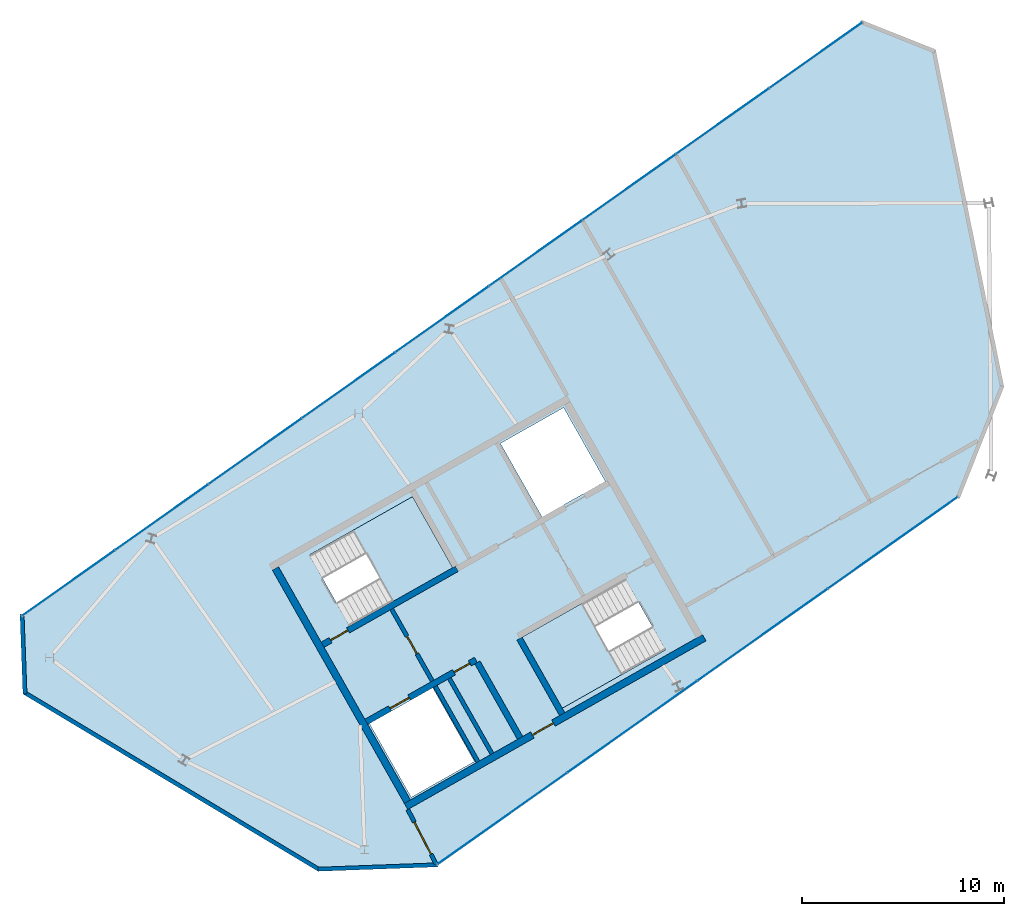
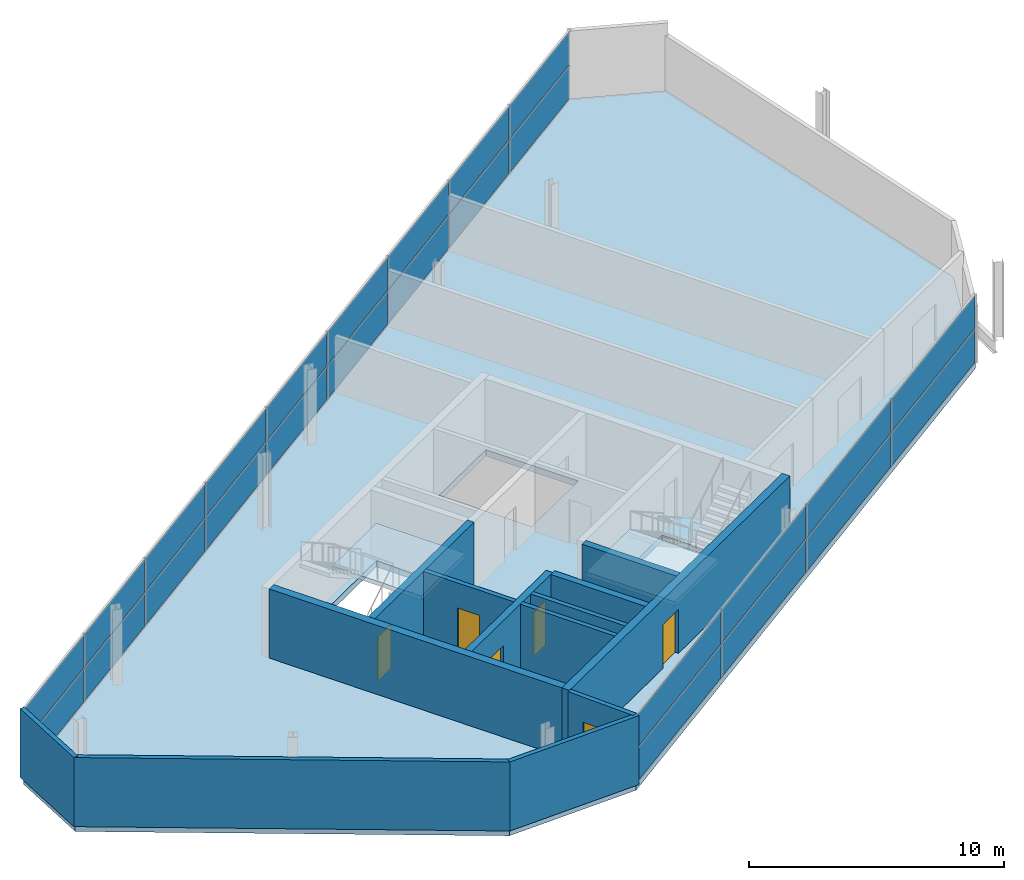
# One storey, part 8 of 10: 26 plates, 13 walls, 6 doors, 3 slabs, 6 openings, 4 elements without a shape of their own.
"""IFC4 building model written with IfcOpenShell, lengths in metres."""

from ifc_helpers import new_model, si_unit, direction, frame, frame_2d, origin, origin_2d, place, context, subcontext, project, spatial, polyline, rectangle, outline, extrude, material, layer, layer_set, type_object, element, fill, aggregate, save


model = new_model("IFC4")

# Units and contexts
model_context = context("Model", 3, precision=1e-05, world=origin(), true_north=direction((0.0, 1.0)))
body_context = subcontext(model_context, "Body", "Model", "MODEL_VIEW")
ifc_project = project(units=[si_unit("LENGTHUNIT", "METRE"), si_unit("AREAUNIT", "SQUARE_METRE"), si_unit("VOLUMEUNIT", "CUBIC_METRE"), si_unit("PLANEANGLEUNIT", "RADIAN"), si_unit("MASSUNIT", "GRAM", prefix="KILO")], contexts=[model_context])

# Site, building, storey
site_placement = place(None, origin())
site = spatial("IfcSite", under=ifc_project, at=site_placement, CompositionType="ELEMENT")
building_placement = place(site_placement, origin())
building = spatial("IfcBuilding", under=site, at=building_placement, Name="Binnacle Exchange Tower", CompositionType="ELEMENT")
storey_placement = place(building_placement, frame((0.0, 0.0, 364.89990234375)))
storey = spatial("IfcBuildingStorey", under=building, at=storey_placement, Name="L84", CompositionType="ELEMENT", Elevation=364.89990234375)

# Curtain wall, plates
ifc_material_1 = material(Name="Bronze anodised aluminium frame", Category="aluminium")
curtain_wall_type = type_object("IfcCurtainWallType", Name="External wall - curtain wall crown top", PredefinedType="NOTDEFINED", material=ifc_material_1)
curtain_wall_1_placement = place(storey_placement, origin())
curtain_wall_1 = element("IfcCurtainWall", 1, at=curtain_wall_1_placement, inside=storey, type_object=curtain_wall_type, Name="External wall curtain wall CW6-C303 L84", PredefinedType="NOTDEFINED")
ifc_material_2 = material(Name="Glass", Category="glass")
ifc_layer_1 = layer(ifc_material_2, 0.02392578125)
ifc_layer_set_1 = layer_set([ifc_layer_1], Name="CW6 GLASS PANEL 24")
plate_type = type_object("IfcPlateType", Name="CW6 GLASS PANEL 24", PredefinedType="CURTAIN_PANEL", material=ifc_layer_set_1)
plate_1_placement = place(storey_placement, frame((-19.462158203125, 66.922119140625, 0.0400390625), z_axis=(0.0, 0.0, 1.0), x_axis=(-0.816847180221, -0.576854127285, 0.0)))
plate_1 = element("IfcPlate", 2, at=plate_1_placement, type_object=plate_type, Name="CW6-C303 panel 1.1", PredefinedType="CURTAIN_PANEL", context=body_context, shape_type="SweptSolid", body=[
    extrude(rectangle(XDim=5.604736328125, YDim=0.02392578125, at=origin_2d()), origin(), (0.0, 0.0, 1.0), 1.590087890625),
])
plate_2_placement = place(storey_placement, frame((-19.462158203125, 66.922119140625, 1.669921875), z_axis=(0.0, 0.0, 1.0), x_axis=(-0.816847180221, -0.576854127285, 0.0)))
plate_2 = element("IfcPlate", 3, at=plate_2_placement, type_object=plate_type, Name="CW6-C303 panel 1.2", PredefinedType="CURTAIN_PANEL", context=body_context, shape_type="SweptSolid", body=[
    extrude(rectangle(XDim=5.604736328125, YDim=0.02392578125, at=origin_2d()), origin(), (0.0, 0.0, 1.0), 1.590087890625),
])
plate_3_placement = place(storey_placement, frame((-24.091552734375, 63.653076171875, 0.0400390625), z_axis=(0.0, 0.0, 1.0), x_axis=(-0.816847180221, -0.576854127285, 0.0)))
plate_3 = element("IfcPlate", 4, at=plate_3_placement, type_object=plate_type, Name="CW6-C303 panel 2.1", PredefinedType="CURTAIN_PANEL", context=body_context, shape_type="SweptSolid", body=[
    extrude(rectangle(XDim=5.6298828125, YDim=0.02392578125, at=origin_2d()), origin(), (0.0, 0.0, 1.0), 1.590087890625),
])
plate_4_placement = place(storey_placement, frame((-24.091552734375, 63.653076171875, 1.669921875), z_axis=(0.0, 0.0, 1.0), x_axis=(-0.816847180221, -0.576854127285, 0.0)))
plate_4 = element("IfcPlate", 5, at=plate_4_placement, type_object=plate_type, Name="CW6-C303 panel 2.2", PredefinedType="CURTAIN_PANEL", context=body_context, shape_type="SweptSolid", body=[
    extrude(rectangle(XDim=5.6298828125, YDim=0.02392578125, at=origin_2d()), origin(), (0.0, 0.0, 1.0), 1.590087890625),
])
plate_5_placement = place(storey_placement, frame((-28.731201171875, 60.376708984375, 0.0400390625), z_axis=(0.0, 0.0, 1.0), x_axis=(-0.816847180221, -0.576854127285, 0.0)))
plate_5 = element("IfcPlate", 6, at=plate_5_placement, type_object=plate_type, Name="CW6-C303 panel 3.1", PredefinedType="CURTAIN_PANEL", context=body_context, shape_type="SweptSolid", body=[
    extrude(rectangle(XDim=5.6298828125, YDim=0.02392578125, at=origin_2d()), origin(), (0.0, 0.0, 1.0), 1.590087890625),
])
plate_6_placement = place(storey_placement, frame((-28.731201171875, 60.376708984375, 1.669921875), z_axis=(0.0, 0.0, 1.0), x_axis=(-0.816847180221, -0.576854127285, 0.0)))
plate_6 = element("IfcPlate", 7, at=plate_6_placement, type_object=plate_type, Name="CW6-C303 panel 3.2", PredefinedType="CURTAIN_PANEL", context=body_context, shape_type="SweptSolid", body=[
    extrude(rectangle(XDim=5.6298828125, YDim=0.02392578125, at=origin_2d()), origin(), (0.0, 0.0, 1.0), 1.590087890625),
])
plate_7_placement = place(storey_placement, frame((-33.37060546875, 57.10009765625, 0.0400390625), z_axis=(0.0, 0.0, 1.0), x_axis=(-0.816847180221, -0.576854127285, 0.0)))
plate_7 = element("IfcPlate", 8, at=plate_7_placement, type_object=plate_type, Name="CW6-C303 panel 4.1", PredefinedType="CURTAIN_PANEL", context=body_context, shape_type="SweptSolid", body=[
    extrude(rectangle(XDim=5.6298828125, YDim=0.02392578125, at=origin_2d()), origin(), (0.0, 0.0, 1.0), 1.590087890625),
])
plate_8_placement = place(storey_placement, frame((-33.37060546875, 57.10009765625, 1.669921875), z_axis=(0.0, 0.0, 1.0), x_axis=(-0.816847180221, -0.576854127285, 0.0)))
plate_8 = element("IfcPlate", 9, at=plate_8_placement, type_object=plate_type, Name="CW6-C303 panel 4.2", PredefinedType="CURTAIN_PANEL", context=body_context, shape_type="SweptSolid", body=[
    extrude(rectangle(XDim=5.6298828125, YDim=0.02392578125, at=origin_2d()), origin(), (0.0, 0.0, 1.0), 1.590087890625),
])
plate_9_placement = place(storey_placement, frame((-38.01025390625, 53.82373046875, 0.0400390625), z_axis=(0.0, 0.0, 1.0), x_axis=(-0.816847180221, -0.576854127285, 0.0)))
plate_9 = element("IfcPlate", 10, at=plate_9_placement, type_object=plate_type, Name="CW6-C303 panel 5.1", PredefinedType="CURTAIN_PANEL", context=body_context, shape_type="SweptSolid", body=[
    extrude(rectangle(XDim=5.6298828125, YDim=0.02392578125, at=origin_2d()), origin(), (0.0, 0.0, 1.0), 1.590087890625),
])
plate_10_placement = place(storey_placement, frame((-38.01025390625, 53.82373046875, 1.669921875), z_axis=(0.0, 0.0, 1.0), x_axis=(-0.816847180221, -0.576854127285, 0.0)))
plate_10 = element("IfcPlate", 11, at=plate_10_placement, type_object=plate_type, Name="CW6-C303 panel 5.2", PredefinedType="CURTAIN_PANEL", context=body_context, shape_type="SweptSolid", body=[
    extrude(rectangle(XDim=5.6298828125, YDim=0.02392578125, at=origin_2d()), origin(), (0.0, 0.0, 1.0), 1.590087890625),
])
plate_11_placement = place(storey_placement, frame((-42.649658203125, 50.54736328125, 0.0400390625), z_axis=(0.0, 0.0, 1.0), x_axis=(-0.816847180221, -0.576854127285, 0.0)))
plate_11 = element("IfcPlate", 12, at=plate_11_placement, type_object=plate_type, Name="CW6-C303 panel 6.1", PredefinedType="CURTAIN_PANEL", context=body_context, shape_type="SweptSolid", body=[
    extrude(rectangle(XDim=5.6298828125, YDim=0.02392578125, at=origin_2d()), origin(), (0.0, 0.0, 1.0), 1.590087890625),
])
plate_12_placement = place(storey_placement, frame((-42.649658203125, 50.54736328125, 1.669921875), z_axis=(0.0, 0.0, 1.0), x_axis=(-0.816847180221, -0.576854127285, 0.0)))
plate_12 = element("IfcPlate", 13, at=plate_12_placement, type_object=plate_type, Name="CW6-C303 panel 6.2", PredefinedType="CURTAIN_PANEL", context=body_context, shape_type="SweptSolid", body=[
    extrude(rectangle(XDim=5.6298828125, YDim=0.02392578125, at=origin_2d()), origin(), (0.0, 0.0, 1.0), 1.590087890625),
])
plate_13_placement = place(storey_placement, frame((-47.289306640625, 47.27099609375, 0.0400390625), z_axis=(0.0, 0.0, 1.0), x_axis=(-0.816847180221, -0.576854127285, 0.0)))
plate_13 = element("IfcPlate", 14, at=plate_13_placement, type_object=plate_type, Name="CW6-C303 panel 7.1", PredefinedType="CURTAIN_PANEL", context=body_context, shape_type="SweptSolid", body=[
    extrude(rectangle(XDim=5.6298828125, YDim=0.02392578125, at=origin_2d()), origin(), (0.0, 0.0, 1.0), 1.590087890625),
])
plate_14_placement = place(storey_placement, frame((-47.289306640625, 47.27099609375, 1.669921875), z_axis=(0.0, 0.0, 1.0), x_axis=(-0.816847180221, -0.576854127285, 0.0)))
plate_14 = element("IfcPlate", 15, at=plate_14_placement, type_object=plate_type, Name="CW6-C303 panel 7.2", PredefinedType="CURTAIN_PANEL", context=body_context, shape_type="SweptSolid", body=[
    extrude(rectangle(XDim=5.6298828125, YDim=0.02392578125, at=origin_2d()), origin(), (0.0, 0.0, 1.0), 1.590087890625),
])
plate_15_placement = place(storey_placement, frame((-51.9287109375, 43.99462890625, 0.0400390625), z_axis=(0.0, 0.0, 1.0), x_axis=(-0.816847180221, -0.576854127285, 0.0)))
plate_15 = element("IfcPlate", 16, at=plate_15_placement, type_object=plate_type, Name="CW6-C303 panel 8.1", PredefinedType="CURTAIN_PANEL", context=body_context, shape_type="SweptSolid", body=[
    extrude(rectangle(XDim=5.6298828125, YDim=0.02392578125, at=origin_2d()), origin(), (0.0, 0.0, 1.0), 1.590087890625),
])
plate_16_placement = place(storey_placement, frame((-51.9287109375, 43.99462890625, 1.669921875), z_axis=(0.0, 0.0, 1.0), x_axis=(-0.816847180221, -0.576854127285, 0.0)))
plate_16 = element("IfcPlate", 17, at=plate_16_placement, type_object=plate_type, Name="CW6-C303 panel 8.2", PredefinedType="CURTAIN_PANEL", context=body_context, shape_type="SweptSolid", body=[
    extrude(rectangle(XDim=5.6298828125, YDim=0.02392578125, at=origin_2d()), origin(), (0.0, 0.0, 1.0), 1.590087890625),
])
plate_17_placement = place(storey_placement, frame((-56.55810546875, 40.725341796875, 0.0400390625), z_axis=(0.0, 0.0, 1.0), x_axis=(-0.816847180221, -0.576854127285, 0.0)))
plate_17 = element("IfcPlate", 18, at=plate_17_placement, type_object=plate_type, Name="CW6-C303 panel 9.1", PredefinedType="CURTAIN_PANEL", context=body_context, shape_type="SweptSolid", body=[
    extrude(rectangle(XDim=5.604736328125, YDim=0.02392578125, at=origin_2d()), origin(), (0.0, 0.0, 1.0), 1.590087890625),
])
plate_18_placement = place(storey_placement, frame((-56.55810546875, 40.725341796875, 1.669921875), z_axis=(0.0, 0.0, 1.0), x_axis=(-0.816847180221, -0.576854127285, 0.0)))
plate_18 = element("IfcPlate", 19, at=plate_18_placement, type_object=plate_type, Name="CW6-C303 panel 9.2", PredefinedType="CURTAIN_PANEL", context=body_context, shape_type="SweptSolid", body=[
    extrude(rectangle(XDim=5.604736328125, YDim=0.02392578125, at=origin_2d()), origin(), (0.0, 0.0, 1.0), 1.590087890625),
])
aggregate(curtain_wall_1, [plate_1, plate_2, plate_3, plate_4, plate_5, plate_6, plate_7, plate_8, plate_9, plate_10, plate_11, plate_12, plate_13, plate_14, plate_15, plate_16, plate_17, plate_18])

curtain_wall_2_placement = place(storey_placement, origin())
curtain_wall_2 = element("IfcCurtainWall", 20, at=curtain_wall_2_placement, inside=storey, type_object=curtain_wall_type, Name="External wall curtain wall CW6-C307 L84", PredefinedType="NOTDEFINED")
plate_19_placement = place(storey_placement, frame((-35.033447265625, 29.037109375, 0.0400390625), z_axis=(0.0, 0.0, 1.0), x_axis=(0.816847180221, 0.576854127285, 0.0)))
plate_19 = element("IfcPlate", 21, at=plate_19_placement, type_object=plate_type, Name="CW6-C307 panel 1.1", PredefinedType="CURTAIN_PANEL", context=body_context, shape_type="SweptSolid", body=[
    extrude(rectangle(XDim=7.844482421875, YDim=0.02392578125, at=origin_2d()), origin(), (0.0, 0.0, 1.0), 1.590087890625),
])
plate_20_placement = place(storey_placement, frame((-35.033447265625, 29.037109375, 1.669921875), z_axis=(0.0, 0.0, 1.0), x_axis=(0.816847180221, 0.576854127285, 0.0)))
plate_20 = element("IfcPlate", 22, at=plate_20_placement, type_object=plate_type, Name="CW6-C307 panel 1.2", PredefinedType="CURTAIN_PANEL", context=body_context, shape_type="SweptSolid", body=[
    extrude(rectangle(XDim=7.844482421875, YDim=0.02392578125, at=origin_2d()), origin(), (0.0, 0.0, 1.0), 1.590087890625),
])
plate_21_placement = place(storey_placement, frame((-28.57470703125, 33.598388671875, 0.0400390625), z_axis=(0.0, 0.0, 1.0), x_axis=(0.816847180221, 0.576854127285, 0.0)))
plate_21 = element("IfcPlate", 23, at=plate_21_placement, type_object=plate_type, Name="CW6-C307 panel 2.1", PredefinedType="CURTAIN_PANEL", context=body_context, shape_type="SweptSolid", body=[
    extrude(rectangle(XDim=7.869384765625, YDim=0.02392578125, at=origin_2d()), origin(), (0.0, 0.0, 1.0), 1.590087890625),
])
plate_22_placement = place(storey_placement, frame((-28.57470703125, 33.598388671875, 1.669921875), z_axis=(0.0, 0.0, 1.0), x_axis=(0.816847180221, 0.576854127285, 0.0)))
plate_22 = element("IfcPlate", 24, at=plate_22_placement, type_object=plate_type, Name="CW6-C307 panel 2.2", PredefinedType="CURTAIN_PANEL", context=body_context, shape_type="SweptSolid", body=[
    extrude(rectangle(XDim=7.869384765625, YDim=0.02392578125, at=origin_2d()), origin(), (0.0, 0.0, 1.0), 1.590087890625),
])
plate_23_placement = place(storey_placement, frame((-22.105712890625, 38.166748046875, 0.0400390625), z_axis=(0.0, 0.0, 1.0), x_axis=(0.816847180221, 0.576854127285, 0.0)))
plate_23 = element("IfcPlate", 25, at=plate_23_placement, type_object=plate_type, Name="CW6-C307 panel 3.1", PredefinedType="CURTAIN_PANEL", context=body_context, shape_type="SweptSolid", body=[
    extrude(rectangle(XDim=7.869384765625, YDim=0.02392578125, at=origin_2d()), origin(), (0.0, 0.0, 1.0), 1.590087890625),
])
plate_24_placement = place(storey_placement, frame((-22.105712890625, 38.166748046875, 1.669921875), z_axis=(0.0, 0.0, 1.0), x_axis=(0.816847180221, 0.576854127285, 0.0)))
plate_24 = element("IfcPlate", 26, at=plate_24_placement, type_object=plate_type, Name="CW6-C307 panel 3.2", PredefinedType="CURTAIN_PANEL", context=body_context, shape_type="SweptSolid", body=[
    extrude(rectangle(XDim=7.869384765625, YDim=0.02392578125, at=origin_2d()), origin(), (0.0, 0.0, 1.0), 1.590087890625),
])
plate_25_placement = place(storey_placement, frame((-15.64697265625, 42.727783203125, 0.0400390625), z_axis=(0.0, 0.0, 1.0), x_axis=(0.816847180221, 0.576854127285, 0.0)))
plate_25 = element("IfcPlate", 27, at=plate_25_placement, type_object=plate_type, Name="CW6-C307 panel 4.1", PredefinedType="CURTAIN_PANEL", context=body_context, shape_type="SweptSolid", body=[
    extrude(rectangle(XDim=7.844482421875, YDim=0.02392578125, at=origin_2d()), origin(), (0.0, 0.0, 1.0), 1.590087890625),
])
plate_26_placement = place(storey_placement, frame((-15.64697265625, 42.727783203125, 1.669921875), z_axis=(0.0, 0.0, 1.0), x_axis=(0.816847180221, 0.576854127285, 0.0)))
plate_26 = element("IfcPlate", 28, at=plate_26_placement, type_object=plate_type, Name="CW6-C307 panel 4.2", PredefinedType="CURTAIN_PANEL", context=body_context, shape_type="SweptSolid", body=[
    extrude(rectangle(XDim=7.844482421875, YDim=0.02392578125, at=origin_2d()), origin(), (0.0, 0.0, 1.0), 1.590087890625),
])
aggregate(curtain_wall_2, [plate_19, plate_20, plate_21, plate_22, plate_23, plate_24, plate_25, plate_26])

# Slab
ifc_material_3 = material(Name="Concrete C35/45", Category="concrete")
ifc_layer_2 = layer(ifc_material_3, 0.300048828125)
ifc_layer_set_2 = layer_set([ifc_layer_2], Name="Floor slab 300 Concrete C35/45")
slab_type_1 = type_object("IfcSlabType", Name="Floor slab 300 Concrete C35/45", PredefinedType="FLOOR", material=ifc_layer_set_2)
slab_1_placement = place(storey_placement, frame((0.0, 0.0, -0.2998046875)))
element("IfcSlab", 29, at=slab_1_placement, inside=storey, type_object=slab_type_1, Name="S:SL:L84:01", PredefinedType="FLOOR", context=body_context, shape_type="SweptSolid", body=[
    extrude(outline(polyline([(-38.28515625, 26.74072265625), (-44.14404296875, 26.5244140625), (-58.716064453125, 35.280029296875), (-58.857177734375, 39.101806640625), (-17.1630859375, 68.5458984375), (-13.60888671875, 67.134521484375), (-10.2314453125, 50.473388671875), (-12.39501953125, 45.024169921875), (-38.28515625, 26.74072265625)]), holes=[polyline([(-41.61279296875, 33.756591796875), (-39.544677734375, 30.10107421875), (-36.411376953125, 31.873779296875), (-38.4794921875, 35.529296875), (-41.61279296875, 33.756591796875)]), polyline([(-26.9287109375, 37.4111328125), (-28.923095703125, 40.93603515625), (-34.040771484375, 38.04052734375), (-32.04638671875, 34.515625), (-26.9287109375, 37.4111328125)]), polyline([(-44.598388671875, 42.12060546875), (-42.604248046875, 38.595703125), (-37.486572265625, 41.4912109375), (-39.480712890625, 45.01611328125), (-44.598388671875, 42.12060546875)]), polyline([(-35.115966796875, 47.657958984375), (-33.047607421875, 44.00244140625), (-29.914306640625, 45.775390625), (-31.982666015625, 49.430908203125), (-35.115966796875, 47.657958984375)])]), origin(), (0.0, 0.0, 1.0), 0.2998046875),
])

# Stair, slab
stair_type = type_object("IfcStairType", Name="STAIR 20 RISERS 180", PredefinedType="HALF_TURN_STAIR", material=ifc_material_3)
stair_1_placement = place(storey_placement, origin())
stair_1 = element("IfcStair", 30, at=stair_1_placement, inside=storey, type_object=stair_type, Name="L84 Escape stair A1", PredefinedType="HALF_TURN_STAIR")
ifc_layer_3 = layer(ifc_material_3, 0.199951171875)
ifc_layer_set_3 = layer_set([ifc_layer_3], Name="STAIR LANDING 200")
slab_type_2 = type_object("IfcSlabType", Name="STAIR LANDING 200", PredefinedType="LANDING", material=ifc_layer_set_3)
slab_2_placement = place(storey_placement, frame((0.0, 0.0, 1.60009765625)))
slab_2 = element("IfcSlab", 31, at=slab_2_placement, type_object=slab_type_2, Name="STA1 landing 1", PredefinedType="LANDING", context=body_context, shape_type="SweptSolid", body=[
    extrude(outline(polyline([(-40.44580078125, 39.81689453125), (-37.486572265625, 41.4912109375), (-39.48095703125, 45.01611328125), (-42.43994140625, 43.341796875), (-40.44580078125, 39.81689453125)])), origin(), (0.0, 0.0, 1.0), 0.199951171875),
])
aggregate(stair_1, [slab_2])

stair_2_placement = place(storey_placement, origin())
stair_2 = element("IfcStair", 32, at=stair_2_placement, inside=storey, type_object=stair_type, Name="L84 Escape stair A2", PredefinedType="HALF_TURN_STAIR")
slab_3_placement = place(storey_placement, frame((0.0, 0.0, 1.60009765625)))
slab_3 = element("IfcSlab", 33, at=slab_3_placement, type_object=slab_type_2, Name="STA2 landing 1", PredefinedType="LANDING", context=body_context, shape_type="SweptSolid", body=[
    extrude(outline(polyline([(-31.08154296875, 39.71484375), (-34.040771484375, 38.04052734375), (-32.04638671875, 34.515625), (-29.087158203125, 36.18994140625), (-31.08154296875, 39.71484375)])), origin(), (0.0, 0.0, 1.0), 0.199951171875),
])
aggregate(stair_2, [slab_3])

# Wall, openings, doors
ifc_material_4 = material(Name="Concrete C70/85", Category="concrete")
ifc_layer_4 = layer(ifc_material_4, 0.300048828125)
ifc_layer_set_4 = layer_set([ifc_layer_4], Name="Core wall - front 300")
wall_type_1 = type_object("IfcWallType", Name="Core wall - front 300", PredefinedType="SOLIDWALL", material=ifc_layer_set_4)
wall_1_placement = place(storey_placement, frame((-41.773681640625, 33.837890625, 0.0), z_axis=(0.0, 0.0, 1.0), x_axis=(0.870355415866, 0.492424055132, 0.0)))
wall_1 = element("IfcWall", 34, at=wall_1_placement, inside=storey, type_object=wall_type_1, Name="Core wall CRWA2", PredefinedType="SOLIDWALL", context=body_context, shape_type="SweptSolid", body=[
    extrude(rectangle(XDim=6.25, YDim=0.300048828125, at=frame_2d((3.125, 0.0))), origin(), (0.0, 0.0, 1.0), 3.300048828125),
])
opening_1_placement = place(wall_1_placement, frame((1.349853515625, 0.0, 0.0)))
opening_1 = element("IfcOpeningElement", 35, at=opening_1_placement, cuts=wall_1, Name="Opening LD12", PredefinedType="OPENING", context=body_context, shape_type="SweptSolid", body=[
    extrude(rectangle(XDim=1.10009765625, YDim=2.10009765625, at=frame_2d((0.550048828125, 1.050048828125))), frame((0.0, 0.159912109375, 0.0), z_axis=(0.0, -1.0, 0.0), x_axis=(1.0, 0.0, 0.0)), (0.0, 0.0, 1.0), 0.320068359375),
])
opening_2_placement = place(wall_1_placement, frame((5.0, 0.0, 0.0)))
opening_2 = element("IfcOpeningElement", 36, at=opening_2_placement, cuts=wall_1, Name="Opening DA14", PredefinedType="OPENING", context=body_context, shape_type="SweptSolid", body=[
    extrude(rectangle(XDim=0.89990234375, YDim=2.10009765625, at=frame_2d((0.449951171875, 1.050048828125))), frame((0.0, 0.159912109375, 0.0), z_axis=(0.0, -1.0, 0.0), x_axis=(1.0, 0.0, 0.0)), (0.0, 0.0, 1.0), 0.320068359375),
])
ifc_material_5 = material(Name="Steel door leaf", Category="steel")
door_type_1 = type_object("IfcDoorType", Name="Fire door - lift landing 1100", OperationType="NOTDEFINED", PredefinedType="DOOR", material=ifc_material_5)
door_1_placement = place(opening_1_placement, origin())
door_1 = element("IfcDoor", 37, at=door_1_placement, inside=storey, type_object=door_type_1, Name="Landing door LD12 L84", OperationType="DOUBLE_DOOR_SLIDING", OverallHeight=2.10009765625, OverallWidth=1.10009765625, PredefinedType="DOOR", context=body_context, shape_type="SweptSolid", body=[
    extrude(rectangle(XDim=1.10009765625, YDim=2.10009765625, at=frame_2d((0.550048828125, 1.050048828125))), frame((0.0, 0.02490234375, 0.0), z_axis=(0.0, -1.0, 0.0), x_axis=(1.0, 0.0, 0.0)), (0.0, 0.0, 1.0), 0.050048828125),
])
fill(opening_1, door_1)
door_type_2 = type_object("IfcDoorType", Name="Fire door 900", OperationType="NOTDEFINED", PredefinedType="DOOR", material=ifc_material_5)
door_2_placement = place(opening_2_placement, frame((0.89990234375, 0.0, 0.0), z_axis=(0.0, 0.0, 1.0), x_axis=(-1.0, 0.0, 0.0)))
door_2 = element("IfcDoor", 38, at=door_2_placement, inside=storey, type_object=door_type_2, Name="Core room door UPS CUPBOARD", OperationType="SINGLE_SWING_LEFT", OverallHeight=2.10009765625, OverallWidth=0.89990234375, PredefinedType="DOOR", context=body_context, shape_type="SweptSolid", body=[
    extrude(rectangle(XDim=0.89990234375, YDim=2.10009765625, at=frame_2d((0.449951171875, 1.050048828125))), frame((0.0, 0.02490234375, 0.0), z_axis=(0.0, -1.0, 0.0), x_axis=(1.0, 0.0, 0.0)), (0.0, 0.0, 1.0), 0.050048828125),
])
fill(opening_2, door_2)

# Wall
wall_2_placement = place(storey_placement, frame((-36.260009765625, 36.784912109375, 0.0), z_axis=(0.0, 0.0, 1.0), x_axis=(0.492435133428, -0.870349147967, 0.0)))
element("IfcWall", 39, at=wall_2_placement, inside=storey, type_object=wall_type_1, Name="Core wall CRWA13", PredefinedType="SOLIDWALL", context=body_context, shape_type="SweptSolid", body=[
    extrude(rectangle(XDim=4.2998046875, YDim=0.300048828125, at=frame_2d((2.14990234375, 0.0))), origin(), (0.0, 0.0, 1.0), 3.300048828125),
])

# Wall, opening, door
ifc_layer_5 = layer(ifc_material_4, 0.35009765625)
ifc_layer_set_5 = layer_set([ifc_layer_5], Name="Core wall - outer 350")
wall_type_2 = type_object("IfcWallType", Name="Core wall - outer 350", PredefinedType="SOLIDWALL", material=ifc_layer_set_5)
wall_3_placement = place(storey_placement, frame((-39.80078125, 29.64013671875, 0.0), z_axis=(0.0, 0.0, 1.0), x_axis=(0.870359753402, 0.492416388494, 0.0)))
wall_3 = element("IfcWall", 40, at=wall_3_placement, inside=storey, type_object=wall_type_2, Name="Core wall CRWA1", PredefinedType="SOLIDWALL", context=body_context, shape_type="SweptSolid", body=[
    extrude(rectangle(XDim=17.0, YDim=0.35009765625, at=frame_2d((8.5, 0.0))), origin(), (0.0, 0.0, 1.0), 3.300048828125),
])
opening_3_placement = place(wall_3_placement, frame((7.199951171875, 0.0, 0.0)))
opening_3 = element("IfcOpeningElement", 41, at=opening_3_placement, cuts=wall_3, Name="Opening DA7", PredefinedType="OPENING", context=body_context, shape_type="SweptSolid", body=[
    extrude(rectangle(XDim=1.199951171875, YDim=2.10009765625, at=frame_2d((0.60009765625, 1.050048828125))), frame((0.0, 0.18505859375, 0.0), z_axis=(0.0, -1.0, 0.0), x_axis=(1.0, 0.0, 0.0)), (0.0, 0.0, 1.0), 0.3701171875),
])
door_type_3 = type_object("IfcDoorType", Name="Fire door 1200", OperationType="NOTDEFINED", PredefinedType="DOOR", material=ifc_material_5)
door_3_placement = place(opening_3_placement, frame((1.199951171875, 0.0, 0.0), z_axis=(0.0, 0.0, 1.0), x_axis=(-1.0, 0.0, 0.0)))
door_3 = element("IfcDoor", 42, at=door_3_placement, inside=storey, type_object=door_type_3, Name="Lift lobby entrance door core A", OperationType="SINGLE_SWING_RIGHT", OverallHeight=2.10009765625, OverallWidth=1.199951171875, PredefinedType="DOOR", context=body_context, shape_type="SweptSolid", body=[
    extrude(rectangle(XDim=1.199951171875, YDim=2.10009765625, at=frame_2d((0.60009765625, 1.050048828125))), frame((0.0, 0.02490234375, 0.0), z_axis=(0.0, -1.0, 0.0), x_axis=(1.0, 0.0, 0.0)), (0.0, 0.0, 1.0), 0.050048828125),
])
fill(opening_3, door_3)

# Wall
wall_4_placement = place(storey_placement, frame((-46.283935546875, 41.454345703125, 0.0), z_axis=(0.0, 0.0, 1.0), x_axis=(0.492429810477, -0.870352159619, 0.0)))
element("IfcWall", 43, at=wall_4_placement, inside=storey, type_object=wall_type_2, Name="Core wall CRWA7", PredefinedType="SOLIDWALL", context=body_context, shape_type="SweptSolid", body=[
    extrude(rectangle(XDim=13.300048828125, YDim=0.35009765625, at=frame_2d((6.64990234375, 0.0))), origin(), (0.0, 0.0, 1.0), 3.300048828125),
])

# Wall, opening, door
ifc_layer_6 = layer(ifc_material_4, 0.300048828125)
ifc_layer_set_6 = layer_set([ifc_layer_6], Name="Core wall - stair 300")
wall_type_3 = type_object("IfcWallType", Name="Core wall - stair 300", PredefinedType="SOLIDWALL", material=ifc_layer_set_6)
wall_5_placement = place(storey_placement, frame((-43.940185546875, 37.66748046875, 0.0), z_axis=(0.0, 0.0, 1.0), x_axis=(0.870352347706, 0.49242947804, 0.0)))
wall_5 = element("IfcWall", 44, at=wall_5_placement, inside=storey, type_object=wall_type_3, Name="Core wall CRWA4", PredefinedType="SOLIDWALL", context=body_context, shape_type="SweptSolid", body=[
    extrude(rectangle(XDim=7.64990234375, YDim=0.300048828125, at=frame_2d((3.824951171875, 0.0))), origin(), (0.0, 0.0, 1.0), 3.300048828125),
])
opening_4_placement = place(wall_5_placement, frame((0.449951171875, 0.0, 0.0)))
opening_4 = element("IfcOpeningElement", 45, at=opening_4_placement, cuts=wall_5, Name="Opening DA1", PredefinedType="OPENING", context=body_context, shape_type="SweptSolid", body=[
    extrude(rectangle(XDim=1.0, YDim=2.10009765625, at=frame_2d((0.5, 1.050048828125))), frame((0.0, 0.159912109375, 0.0), z_axis=(0.0, -1.0, 0.0), x_axis=(1.0, 0.0, 0.0)), (0.0, 0.0, 1.0), 0.320068359375),
])
door_type_4 = type_object("IfcDoorType", Name="Fire door 1000", OperationType="NOTDEFINED", PredefinedType="DOOR", material=ifc_material_5)
door_4_placement = place(opening_4_placement, origin())
door_4 = element("IfcDoor", 46, at=door_4_placement, inside=storey, type_object=door_type_4, Name="Stair door ST-A1", OperationType="SINGLE_SWING_LEFT", OverallHeight=2.10009765625, OverallWidth=1.0, PredefinedType="DOOR", context=body_context, shape_type="SweptSolid", body=[
    extrude(rectangle(XDim=1.0, YDim=2.10009765625, at=frame_2d((0.5, 1.050048828125))), frame((0.0, 0.02490234375, 0.0), z_axis=(0.0, -1.0, 0.0), x_axis=(1.0, 0.0, 0.0)), (0.0, 0.0, 1.0), 0.050048828125),
])
fill(opening_4, door_4)

# Walls
wall_6_placement = place(storey_placement, frame((-34.171142578125, 37.966796875, 0.0), z_axis=(0.0, 0.0, 1.0), x_axis=(0.492435133428, -0.870349147967, 0.0)))
element("IfcWall", 47, at=wall_6_placement, inside=storey, type_object=wall_type_3, Name="Core wall CRWA16", PredefinedType="SOLIDWALL", context=body_context, shape_type="SweptSolid", body=[
    extrude(rectangle(XDim=4.2998046875, YDim=0.300048828125, at=frame_2d((2.14990234375, 0.0))), origin(), (0.0, 0.0, 1.0), 3.300048828125),
])
ifc_material_6 = material(Name="Bronze aluminium louvre", Category="aluminium")
ifc_layer_7 = layer(ifc_material_6, 0.199951171875)
ifc_layer_set_7 = layer_set([ifc_layer_7], Name="External wall - crown louvre 200")
wall_type_4 = type_object("IfcWallType", Name="External wall - crown louvre 200", PredefinedType="STANDARD", material=ifc_layer_set_7)
wall_7_placement = place(storey_placement, frame((-58.714111328125, 35.22607421875, 0.0), z_axis=(0.0, 0.0, 1.0), x_axis=(-0.036847570404, 0.999320897688, 0.0)))
element("IfcWall", 48, at=wall_7_placement, inside=storey, type_object=wall_type_4, Name="External wall EW-C304 L84", PredefinedType="STANDARD", context=body_context, shape_type="SweptSolid", body=[
    extrude(rectangle(XDim=3.962158203125, YDim=0.199951171875, at=frame_2d((1.98095703125, 0.0))), origin(), (0.0, 0.0, 1.0), 3.300048828125),
])
wall_8_placement = place(storey_placement, frame((-44.11865234375, 26.50927734375, 0.0), z_axis=(0.0, 0.0, 1.0), x_axis=(-0.857168693653, 0.515035756644, 0.0)))
element("IfcWall", 49, at=wall_8_placement, inside=storey, type_object=wall_type_4, Name="External wall EW-C305 L84", PredefinedType="STANDARD", context=body_context, shape_type="SweptSolid", body=[
    extrude(rectangle(XDim=17.083984375, YDim=0.199951171875, at=frame_2d((8.5419921875, 0.0))), origin(), (0.0, 0.0, 1.0), 3.300048828125),
])
wall_9_placement = place(storey_placement, frame((-38.209716796875, 26.74365234375, 0.0), z_axis=(0.0, 0.0, 1.0), x_axis=(-0.999319030106, -0.036898185155, 0.0)))
element("IfcWall", 50, at=wall_9_placement, inside=storey, type_object=wall_type_4, Name="External wall EW-C306 L84", PredefinedType="STANDARD", context=body_context, shape_type="SweptSolid", body=[
    extrude(rectangle(XDim=5.96826171875, YDim=0.199951171875, at=frame_2d((2.984130859375, 0.0))), origin(), (0.0, 0.0, 1.0), 3.300048828125),
])

# Wall, opening, door
ifc_material_7 = material(Name="Masonry block wall", Category="masonry")
ifc_layer_8 = layer(ifc_material_7, 0.199951171875)
ifc_layer_set_8 = layer_set([ifc_layer_8], Name="Fire wall - block 200")
wall_type_5 = type_object("IfcWallType", Name="Fire wall - block 200", PredefinedType="PARTITIONING", material=ifc_layer_set_8)
wall_10_placement = place(storey_placement, frame((-39.715087890625, 29.488037109375, 0.0), z_axis=(0.0, 0.0, 1.0), x_axis=(0.461720517785, -0.887025458178, 0.0)))
wall_10 = element("IfcWall", 51, at=wall_10_placement, inside=storey, type_object=wall_type_5, Name="Partition W01", PredefinedType="PARTITIONING", context=body_context, shape_type="SweptSolid", body=[
    extrude(rectangle(XDim=3.0302734375, YDim=0.199951171875, at=frame_2d((1.51513671875, 0.0))), origin(), (0.0, 0.0, 1.0), 3.300048828125),
])
opening_5_placement = place(wall_10_placement, frame((0.699951171875, 0.0, 0.0)))
opening_5 = element("IfcOpeningElement", 52, at=opening_5_placement, cuts=wall_10, Name="Opening DL83-04", PredefinedType="OPENING", context=body_context, shape_type="SweptSolid", body=[
    extrude(rectangle(XDim=1.800048828125, YDim=2.10009765625, at=frame_2d((0.89990234375, 1.050048828125))), frame((0.0, 0.10986328125, 0.0), z_axis=(0.0, -1.0, 0.0), x_axis=(1.0, 0.0, 0.0)), (0.0, 0.0, 1.0), 0.219970703125),
])
door_type_5 = type_object("IfcDoorType", Name="Fire door 1800", OperationType="NOTDEFINED", PredefinedType="DOOR", material=ifc_material_5)
door_5_placement = place(opening_5_placement, frame((1.800048828125, 0.0, 0.0), z_axis=(0.0, 0.0, 1.0), x_axis=(-1.0, 0.0, 0.0)))
door_5 = element("IfcDoor", 53, at=door_5_placement, inside=storey, type_object=door_type_5, Name="Door DL83-04", OperationType="DOUBLE_DOOR_SINGLE_SWING", OverallHeight=2.10009765625, OverallWidth=1.800048828125, PredefinedType="DOOR", context=body_context, shape_type="SweptSolid", body=[
    extrude(rectangle(XDim=1.800048828125, YDim=2.10009765625, at=frame_2d((0.89990234375, 1.050048828125))), frame((0.0, 0.02490234375, 0.0), z_axis=(0.0, -1.0, 0.0), x_axis=(1.0, 0.0, 0.0)), (0.0, 0.0, 1.0), 0.050048828125),
])
fill(opening_5, door_5)

ifc_layer_9 = layer(ifc_material_7, 0.199951171875)
ifc_layer_set_9 = layer_set([ifc_layer_9], Name="Fire wall - vestibule 200")
wall_type_6 = type_object("IfcWallType", Name="Fire wall - vestibule 200", PredefinedType="PARTITIONING", material=ifc_layer_set_9)
wall_11_placement = place(storey_placement, frame((-40.515625, 39.4326171875, 0.0), z_axis=(0.0, 0.0, 1.0), x_axis=(0.492453559952, -0.87033872216, 0.0)))
wall_11 = element("IfcWall", 54, at=wall_11_placement, inside=storey, type_object=wall_type_6, Name="Core wall CRWA10", PredefinedType="PARTITIONING", context=body_context, shape_type="SweptSolid", body=[
    extrude(rectangle(XDim=4.099853515625, YDim=0.199951171875, at=frame_2d((2.0498046875, 0.0))), origin(), (0.0, 0.0, 1.0), 3.300048828125),
])
opening_6_placement = place(wall_11_placement, frame((1.550048828125, 0.0, 0.0)))
opening_6 = element("IfcOpeningElement", 55, at=opening_6_placement, cuts=wall_11, Name="Opening DA3", PredefinedType="OPENING", context=body_context, shape_type="SweptSolid", body=[
    extrude(rectangle(XDim=1.0, YDim=2.10009765625, at=frame_2d((0.5, 1.050048828125))), frame((0.0, 0.10986328125, 0.0), z_axis=(0.0, -1.0, 0.0), x_axis=(1.0, 0.0, 0.0)), (0.0, 0.0, 1.0), 0.219970703125),
])
door_6_placement = place(opening_6_placement, frame((1.0, 0.0, 0.0), z_axis=(0.0, 0.0, 1.0), x_axis=(-1.0, 0.0, 0.0)))
door_6 = element("IfcDoor", 56, at=door_6_placement, inside=storey, type_object=door_type_4, Name="Vestibule door VEST-W", OperationType="SINGLE_SWING_LEFT", OverallHeight=2.10009765625, OverallWidth=1.0, PredefinedType="DOOR", context=body_context, shape_type="SweptSolid", body=[
    extrude(rectangle(XDim=1.0, YDim=2.10009765625, at=frame_2d((0.5, 1.050048828125))), frame((0.0, 0.02490234375, 0.0), z_axis=(0.0, -1.0, 0.0), x_axis=(1.0, 0.0, 0.0)), (0.0, 0.0, 1.0), 0.050048828125),
])
fill(opening_6, door_6)

# Walls
ifc_layer_10 = layer(ifc_material_7, 0.199951171875)
ifc_layer_set_10 = layer_set([ifc_layer_10], Name="Riser wall 200")
wall_type_7 = type_object("IfcWallType", Name="Riser wall 200", PredefinedType="SOLIDWALL", material=ifc_layer_set_10)
wall_12_placement = place(storey_placement, frame((-38.348876953125, 35.603271484375, 0.0), z_axis=(0.0, 0.0, 1.0), x_axis=(0.492410799949, -0.870362915164, 0.0)))
element("IfcWall", 57, at=wall_12_placement, inside=storey, type_object=wall_type_7, Name="Core wall CRWA8", PredefinedType="SOLIDWALL", context=body_context, shape_type="SweptSolid", body=[
    extrude(rectangle(XDim=4.300048828125, YDim=0.199951171875, at=frame_2d((2.14990234375, 0.0))), origin(), (0.0, 0.0, 1.0), 3.300048828125),
])
wall_13_placement = place(storey_placement, frame((-37.652587890625, 35.9970703125, 0.0), z_axis=(0.0, 0.0, 1.0), x_axis=(0.492435133428, -0.870349147967, 0.0)))
element("IfcWall", 58, at=wall_13_placement, inside=storey, type_object=wall_type_7, Name="Core wall CRWA11", PredefinedType="SOLIDWALL", context=body_context, shape_type="SweptSolid", body=[
    extrude(rectangle(XDim=4.2998046875, YDim=0.199951171875, at=frame_2d((2.14990234375, 0.0))), origin(), (0.0, 0.0, 1.0), 3.300048828125),
])

save(model, "model.ifc")
